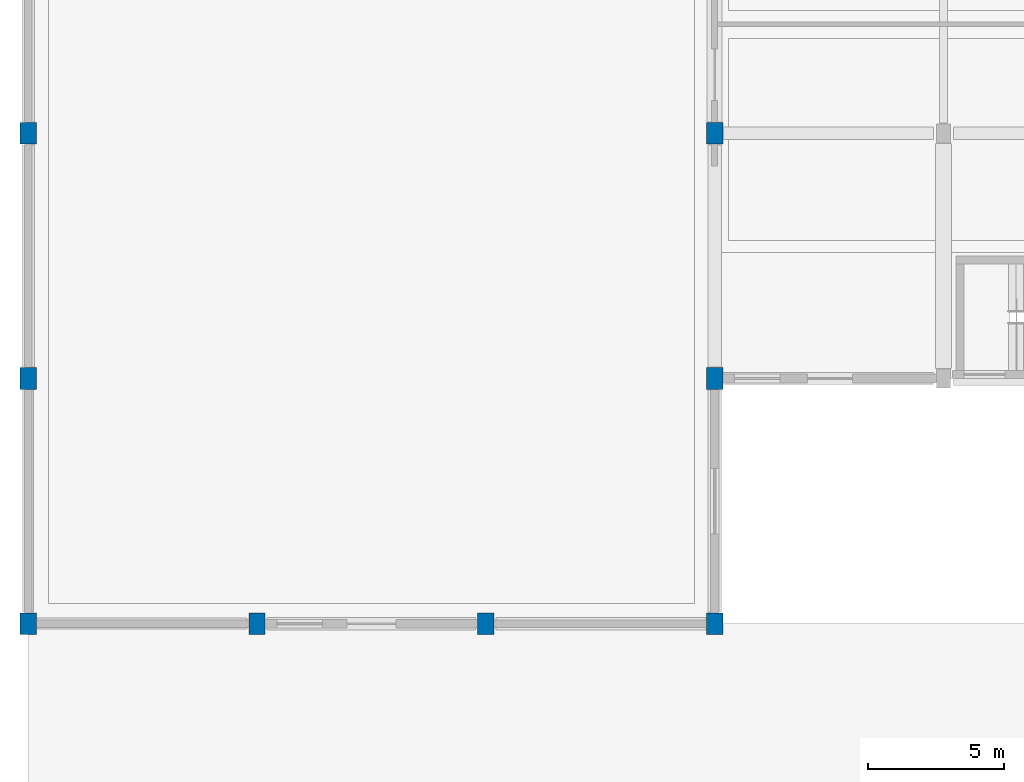
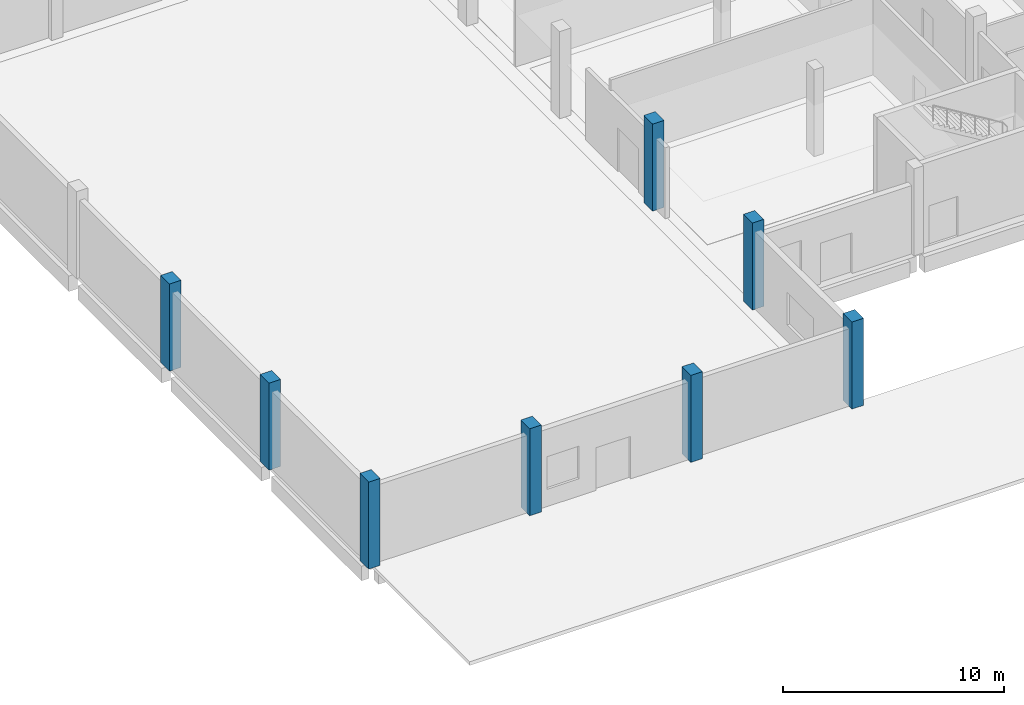
# One storey, part 1 of 95: 8 columns.
"""IFC4 building model written with IfcOpenShell, lengths in metres."""

from ifc_helpers import new_model, si_unit, direction, frame, origin, origin_2d, place, context, subcontext, project, spatial, rectangle, extrude, material, material_profile, profile_set, type_object, element, save


model = new_model("IFC4")

# Units and contexts
model_context = context("Model", 3, precision=1e-05, world=origin(), true_north=direction((0.0, 1.0)))
body_context = subcontext(model_context, "Body", "Model", "MODEL_VIEW")
ifc_project = project(units=[si_unit("LENGTHUNIT", "METRE"), si_unit("AREAUNIT", "SQUARE_METRE"), si_unit("VOLUMEUNIT", "CUBIC_METRE"), si_unit("PLANEANGLEUNIT", "RADIAN"), si_unit("MASSUNIT", "GRAM", prefix="KILO")], contexts=[model_context])

# Site, building, storey
site_placement = place(None, origin())
site = spatial("IfcSite", under=ifc_project, at=site_placement, CompositionType="ELEMENT")
building_placement = place(site_placement, origin())
building = spatial("IfcBuilding", under=site, at=building_placement, Name="Vireocrest Preparatory School", CompositionType="ELEMENT")
storey_placement = place(building_placement, origin())
storey = spatial("IfcBuildingStorey", under=building, at=storey_placement, Name="L00", CompositionType="ELEMENT", Elevation=0.0)

# Columns
ifc_material = material(Name="Concrete 45 MPa", Category="concrete")
ifc_material_profile = material_profile(ifc_material, rectangle(XDim=0.60009765625, YDim=0.800048828125, at=origin_2d()), Name="RC 600x800")
ifc_profile_set = profile_set([ifc_material_profile], Name="Concrete 45 MPa")
column_type = type_object("IfcColumnType", Name="RC Vault Pier 600x800", PredefinedType="COLUMN", material=ifc_profile_set)
for number, where, z_axis, x_axis, name in (
    (1, (0.0, 9.0, 0.0), (0.0, 0.0, 1.0), (1.0, 0.0, 0.0), "Column C14 L00 1/B"),
    (2, (0.0, 18.0, 0.0), (0.0, 0.0, 1.0), (1.0, 0.0, 0.0), "Column C14 L00 1/C"),
    (3, (0.0, 27.0, 0.0), (0.0, 0.0, 1.0), (1.0, 0.0, 0.0), "Column C14 L00 1/D"),
    (4, (8.39990234375, 9.0, 0.0), (0.0, 0.0, 1.0), (1.0, 0.0, 0.0), "Column C14 L00 2/B"),
    (5, (16.800048828125, 9.0, 0.0), (0.0, 0.0, 1.0), (1.0, 0.0, 0.0), "Column C14 L00 3/B"),
    (6, (25.199951171875, 9.0, 0.0), (0.0, 0.0, 1.0), (1.0, 0.0, 0.0), "Column C14 L00 4/B"),
    (7, (25.199951171875, 18.0, 0.0), (0.0, 0.0, 1.0), (1.0, 0.0, 0.0), "Column C14 L00 4/C"),
    (8, (25.199951171875, 27.0, 0.0), (0.0, 0.0, 1.0), (1.0, 0.0, 0.0), "Column C14 L00 4/D"),
):
    element("IfcColumn", number, at=place(storey_placement, frame(where, z_axis=z_axis, x_axis=x_axis)), inside=storey, type_object=column_type, Name=name, PredefinedType="COLUMN", context=body_context, shape_type="SweptSolid", body=[
        extrude(rectangle(XDim=0.60009765625, YDim=0.800048828125, at=origin_2d()), origin(), (0.0, 0.0, 1.0), 4.800048828125),
    ])

save(model, "model.ifc")
